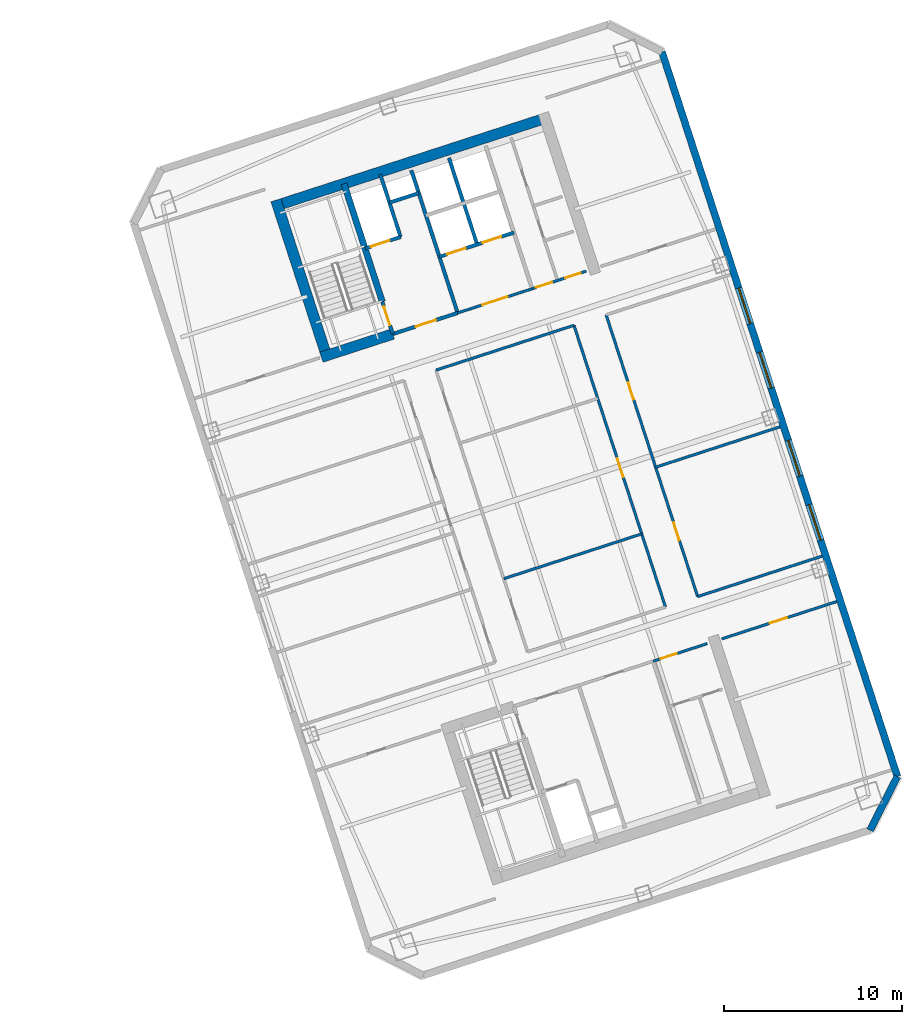
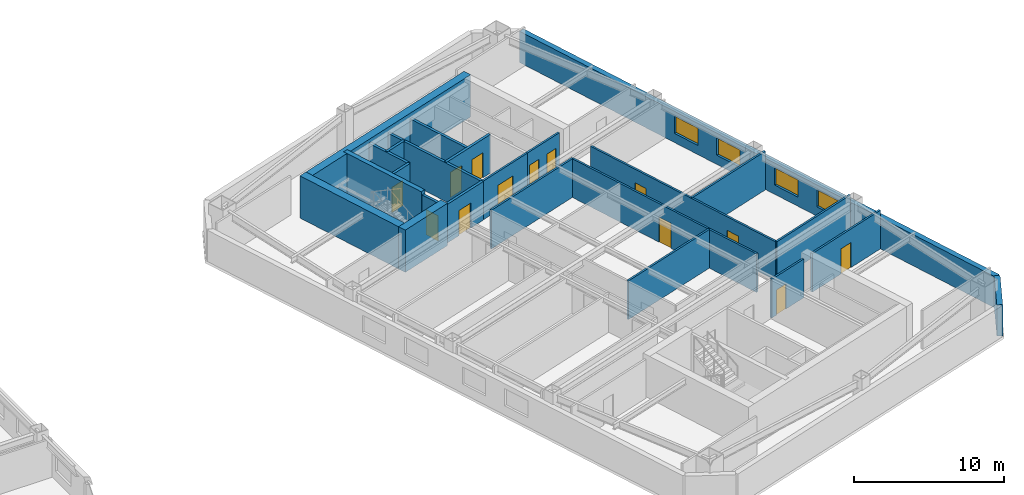
# One storey, part 9 of 13: 24 walls, 13 doors, 4 windows, 17 openings.
"""IFC4 building model written with IfcOpenShell, lengths in metres."""

import ifcopenshell
import ifcopenshell.guid

model = None  # the IFC model being written
_history = None  # IfcOwnerHistory: only IFC2X3 demands one
_inside = {}  # id of a spatial element -> (the spatial element, [elements in it])
_under = {}  # id of a project, library or spatial element -> (it, [spatial elements below it])
_declared = {}  # id of a project -> (the project, [libraries it declares])
_typed = {}  # id of a type object -> (the type object, [elements of that type])
_made_of = {}  # id of a material, layer set ... -> (it, [elements and type objects made of it])


def new_model(schema):
    """Start an empty IFC model of exactly this schema.

    Asked for "IFC4X3", IfcOpenShell would pick the latest addendum, in which some entities
    have other attributes; the version numbers below select the first issue.
    IFC2X3 requires an IfcOwnerHistory on every rooted entity: one is made here for all.
    """
    global model, _history
    if schema == "IFC4X3":
        model = ifcopenshell.file(schema_version=(4, 3, 0, 0))
    else:
        model = ifcopenshell.file(schema=schema)
    _inside.clear()
    _under.clear()
    _declared.clear()
    _typed.clear()
    _made_of.clear()
    _history = None
    if model.schema == "IFC2X3":
        org = make("IfcOrganization", Name="unknown")
        user = make(
            "IfcPersonAndOrganization",
            ThePerson=make("IfcPerson", FamilyName="unknown"),
            TheOrganization=org,
        )
        app = make(
            "IfcApplication",
            ApplicationDeveloper=org,
            Version="unknown",
            ApplicationFullName="unknown",
            ApplicationIdentifier="unknown",
        )
        _history = make(
            "IfcOwnerHistory",
            OwningUser=user,
            OwningApplication=app,
            ChangeAction="ADDED",
            CreationDate=0,
        )
    return model


def make(cls, **values):
    """One entity of the class cls with the attributes given. An attribute that is None is left unset."""
    return model.create_entity(
        cls, **{name: value for name, value in values.items() if value is not None}
    )


def rooted(cls, **values):
    """An entity with a GlobalId (a new one), such as an element, a storey or a relation."""
    return make(cls, GlobalId=ifcopenshell.guid.new(), OwnerHistory=_history, **values)


def si_unit(unit_type, name, prefix=None):
    """IfcSIUnit, for example si_unit("LENGTHUNIT", "METRE", prefix="MILLI")."""
    return make("IfcSIUnit", UnitType=unit_type, Prefix=prefix, Name=name)


def assignment(units):
    """IfcUnitAssignment: the units of a project."""
    return None if units is None else make("IfcUnitAssignment", Units=units)


def point(xyz):
    """IfcCartesianPoint."""
    return None if xyz is None else make("IfcCartesianPoint", Coordinates=xyz)


def direction(xyz):
    """IfcDirection."""
    return None if xyz is None else make("IfcDirection", DirectionRatios=xyz)


def frame(location, z_axis=None, x_axis=None):
    """IfcAxis2Placement3D, a coordinate frame: its origin and axes. An axis left out is left unset."""
    return make(
        "IfcAxis2Placement3D",
        Location=point(location),
        Axis=direction(z_axis),
        RefDirection=direction(x_axis),
    )


def frame_2d(location, x_axis=None):
    """IfcAxis2Placement2D, a coordinate frame in the plane: its origin and x axis."""
    return make(
        "IfcAxis2Placement2D", Location=point(location), RefDirection=direction(x_axis)
    )


def origin():
    """The frame at (0, 0, 0) with its axes left unset."""
    return frame((0.0, 0.0, 0.0))


def place(relative_to, where):
    """IfcLocalPlacement: puts the frame where relative to a parent placement (None: the world)."""
    return make(
        "IfcLocalPlacement", PlacementRelTo=relative_to, RelativePlacement=where
    )


def context(
    kind, dimensions, precision=None, world=None, true_north=None, identifier=None
):
    """IfcGeometricRepresentationContext, for example the 3D "Model" context."""
    return make(
        "IfcGeometricRepresentationContext",
        ContextIdentifier=identifier,
        ContextType=kind,
        CoordinateSpaceDimension=dimensions,
        Precision=precision,
        WorldCoordinateSystem=world,
        TrueNorth=true_north,
    )


def subcontext(parent, identifier, kind, view, scale=None):
    """IfcGeometricRepresentationSubContext, for example "Body" below "Model"."""
    return make(
        "IfcGeometricRepresentationSubContext",
        ContextIdentifier=identifier,
        ContextType=kind,
        ParentContext=parent,
        TargetScale=scale,
        TargetView=view,
    )


def project(units=None, contexts=None):
    """IfcProject with its units and contexts."""
    return rooted(
        "IfcProject",
        Name="project",
        RepresentationContexts=contexts,
        UnitsInContext=assignment(units),
    )


def spatial(cls, under=None, at=None, **own):
    """A site, building, storey or space (cls), placed at a placement, below another one or the project."""
    s = rooted(cls, ObjectPlacement=at, **own)
    if under is not None:
        _under.setdefault(under.id(), (under, []))[1].append(s)
    return s


def profile(cls, at=None, kind="AREA", **sizes):
    """A parametric profile (cls). Its sizes go by their IFC names, for example OverallWidth=200.0."""
    return make(cls, ProfileType=kind, Position=at, **sizes)


def rectangle(**sizes):
    """IfcRectangleProfileDef."""
    return profile("IfcRectangleProfileDef", **sizes)


def extrude(swept, where, along, depth):
    """IfcExtrudedAreaSolid: the profile swept, set in the frame where, extruded along a direction by depth."""
    return make(
        "IfcExtrudedAreaSolid",
        SweptArea=swept,
        Position=where,
        ExtrudedDirection=direction(along),
        Depth=depth,
    )


def shape(context_of_items, identifier, shape_type, items):
    """IfcShapeRepresentation: the items that make up one representation, for example the "Body"."""
    return make(
        "IfcShapeRepresentation",
        ContextOfItems=context_of_items,
        RepresentationIdentifier=identifier,
        RepresentationType=shape_type,
        Items=items,
    )


def material(Name=None, Category=None):
    """IfcMaterial."""
    return make("IfcMaterial", Name=Name, Category=Category)


def layer(
    of_material, thickness, ventilated=None, Name=None, Category=None, Priority=None
):
    """IfcMaterialLayer: one layer of a wall or slab, of a material (None: an air gap)."""
    return make(
        "IfcMaterialLayer",
        Material=of_material,
        LayerThickness=thickness,
        IsVentilated=ventilated,
        Name=Name,
        Category=Category,
        Priority=Priority,
    )


def layer_set(layers, Name=None):
    """IfcMaterialLayerSet."""
    return make("IfcMaterialLayerSet", MaterialLayers=layers, LayerSetName=Name)


def made_of(thing, what):
    """Note that an element or type object is made of a material, layer set ...; save() writes the relation."""
    if what is not None:
        _made_of.setdefault(what.id(), (what, []))[1].append(thing)
    return thing


def type_object(cls, material=None, **own):
    """A type object (cls), such as IfcWallType, which elements share."""
    return made_of(rooted(cls, **own), material)


def element(
    cls,
    number,
    at=None,
    inside=None,
    cuts=None,
    type_object=None,
    material=None,
    context=None,
    identifier="Body",
    shape_type=None,
    held_by="IfcProductDefinitionShape",
    body=None,
    shapes=None,
    **own,
):
    """One element of the class cls, such as IfcWall. Its Tag is "e" and its number.

    at: its placement. inside: the storey or other place that contains it. cuts: it is an
    opening in that element (IfcRelVoidsElement). A single representation is given by context,
    identifier, shape_type and body (its items); several are given by shapes. held_by: the class
    of the entity that holds the representations. save() writes the other relations.
    """
    e = rooted(cls, Tag="e%d" % number, ObjectPlacement=at, **own)
    if body is not None:
        shapes = [shape(context, identifier, shape_type, body)]
    if shapes is not None:
        e.Representation = make(held_by, Representations=shapes)
    if inside is not None:
        _inside.setdefault(inside.id(), (inside, []))[1].append(e)
    if cuts is not None:
        rooted(
            "IfcRelVoidsElement", RelatingBuildingElement=cuts, RelatedOpeningElement=e
        )
    if type_object is not None:
        _typed.setdefault(type_object.id(), (type_object, []))[1].append(e)
    return made_of(e, material)


def fill(opening, filler):
    """IfcRelFillsElement: the door or window that sits in an opening."""
    return rooted(
        "IfcRelFillsElement",
        RelatingOpeningElement=opening,
        RelatedBuildingElement=filler,
    )


def aggregate(whole, parts):
    """IfcRelAggregates: a whole, such as a stair, and the parts it consists of."""
    return rooted("IfcRelAggregates", RelatingObject=whole, RelatedObjects=parts)


def save(model, path):
    """Write the relations noted so far, then the file.

    IfcRelAggregates (storeys below a building ...), IfcRelContainedInSpatialStructure (elements
    in a storey), IfcRelDefinesByType, IfcRelAssociatesMaterial and IfcRelDeclares: one each for
    every whole, place, type object, material and project.
    """
    for whole, parts in _under.values():
        aggregate(whole, parts)
    for where, things in _inside.values():
        rooted(
            "IfcRelContainedInSpatialStructure",
            RelatedElements=things,
            RelatingStructure=where,
        )
    for kind, things in _typed.values():
        rooted("IfcRelDefinesByType", RelatedObjects=things, RelatingType=kind)
    for what, things in _made_of.values():
        rooted("IfcRelAssociatesMaterial", RelatedObjects=things, RelatingMaterial=what)
    for by, libraries in _declared.values():
        rooted("IfcRelDeclares", RelatingContext=by, RelatedDefinitions=libraries)
    model.write(path)


model = new_model("IFC4")

# Units and contexts
model_context = context("Model", 3, precision=1e-05, world=origin(), true_north=direction((0.0, 1.0)))
body_context = subcontext(model_context, "Body", "Model", "MODEL_VIEW")
ifc_project = project(units=[si_unit("LENGTHUNIT", "METRE"), si_unit("AREAUNIT", "SQUARE_METRE"), si_unit("VOLUMEUNIT", "CUBIC_METRE"), si_unit("PLANEANGLEUNIT", "RADIAN"), si_unit("MASSUNIT", "GRAM", prefix="KILO")], contexts=[model_context])

# Site, building, storey
site_placement = place(None, origin())
site = spatial("IfcSite", under=ifc_project, at=site_placement, CompositionType="ELEMENT")
building_placement = place(site_placement, origin())
building = spatial("IfcBuilding", under=site, at=building_placement, Name="Qiaolan Cultural Towers", CompositionType="ELEMENT")
storey_placement = place(building_placement, frame((0.0, 0.0, 180.550048828125)))
storey = spatial("IfcBuildingStorey", under=building, at=storey_placement, Name="L48", CompositionType="ELEMENT", Elevation=180.550048828125)

# Walls
ifc_material_1 = material(Name="Concrete C50", Category="concrete")
ifc_layer_1 = layer(ifc_material_1, 0.35009765625)
ifc_layer_set_1 = layer_set([ifc_layer_1], Name="Concrete C50")
wall_type_1 = type_object("IfcWallType", Name="WL-CORE-350", PredefinedType="SHEAR", material=ifc_layer_set_1)
wall_1_placement = place(storey_placement, frame((82.513671875, 45.13134765625, 0.0), z_axis=(0.0, 0.0, 1.0), x_axis=(-0.308988790936, 0.951065679686, 0.0)))
element("IfcWall", 1, at=wall_1_placement, inside=storey, type_object=wall_type_1, Name="L48 T2-CN Stair Core Dividing Web", PredefinedType="SHEAR", context=body_context, shape_type="SweptSolid", body=[
    extrude(rectangle(XDim=6.97998046875, YDim=0.35009765625, at=frame_2d((3.489990234375, 0.0))), origin(), (0.0, 0.0, 1.0), 3.449951171875),
])
ifc_material_2 = material(Name="Concrete C55", Category="concrete")
ifc_layer_2 = layer(ifc_material_2, 0.60009765625)
ifc_layer_set_2 = layer_set([ifc_layer_2], Name="Concrete C55")
wall_type_2 = type_object("IfcWallType", Name="WL-CORE-600", PredefinedType="SHEAR", material=ifc_layer_set_2)
wall_2_placement = place(storey_placement, frame((76.343505859375, 50.4658203125, 0.0), z_axis=(0.0, 0.0, 1.0), x_axis=(0.951055727519, 0.309019421968, 0.0)))
element("IfcWall", 2, at=wall_2_placement, inside=storey, type_object=wall_type_2, Name="L48 T2-CN Outer Core Shear Wall", PredefinedType="SHEAR", context=body_context, shape_type="SweptSolid", body=[
    extrude(rectangle(XDim=16.39990234375, YDim=0.60009765625, at=frame_2d((8.199951171875, 0.0))), origin(), (0.0, 0.0, 1.0), 3.449951171875),
])
wall_3_placement = place(storey_placement, frame((79.465576171875, 41.827880859375, 0.0), z_axis=(0.0, 0.0, 1.0), x_axis=(-0.309041232772, 0.951048640421, 0.0)))
element("IfcWall", 3, at=wall_3_placement, inside=storey, type_object=wall_type_2, Name="L48 T2-CN West Core Shear Wall", PredefinedType="SHEAR", context=body_context, shape_type="SweptSolid", body=[
    extrude(rectangle(XDim=9.47998046875, YDim=0.60009765625, at=frame_2d((4.739990234375, 0.0))), origin(), (0.0, 0.0, 1.0), 3.449951171875),
])
wall_4_placement = place(storey_placement, frame((79.08740234375, 42.0205078125, 0.0), z_axis=(0.0, 0.0, 1.0), x_axis=(0.951062550203, 0.3089984233, 0.0)))
element("IfcWall", 4, at=wall_4_placement, inside=storey, type_object=wall_type_2, Name="L48 T2-CN Stair Front Shear Wall", PredefinedType="SHEAR", context=body_context, shape_type="SweptSolid", body=[
    extrude(rectangle(XDim=4.219970703125, YDim=0.60009765625, at=frame_2d((2.10986328125, 0.0))), origin(), (0.0, 0.0, 1.0), 3.449951171875),
])

# Wall, openings, windows
ifc_material_3 = material(Name="Precast Concrete C50 Honed Stone Pier", Category="masonry")
ifc_layer_3 = layer(ifc_material_3, 0.39990234375)
ifc_layer_set_3 = layer_set([ifc_layer_3], Name="Precast Concrete C50 Honed Stone Pier")
wall_type_3 = type_object("IfcWallType", Name="WL-EXT-PIER-400", PredefinedType="SOLIDWALL", material=ifc_layer_set_3)
wall_5_placement = place(storey_placement, frame((98.2236328125, 59.17333984375, 0.0), z_axis=(0.0, 0.0, 1.0), x_axis=(0.309014228706, -0.951057414911, 0.0)))
wall_5 = element("IfcWall", 5, at=wall_5_placement, inside=storey, type_object=wall_type_3, Name="L48 East Tower Precast Pier Facade Wall F5", PredefinedType="SOLIDWALL", context=body_context, shape_type="SweptSolid", body=[
    extrude(rectangle(XDim=42.800048828125, YDim=0.39990234375, at=frame_2d((21.39990234375, 0.0))), origin(), (0.0, 0.0, 1.0), 2.550048828125),
])
opening_1_placement = place(wall_5_placement, frame((26.75, 0.0, 0.75)))
opening_1 = element("IfcOpeningElement", 6, at=opening_1_placement, cuts=wall_5, Name="Opening W-05", PredefinedType="OPENING", context=body_context, shape_type="SweptSolid", body=[
    extrude(rectangle(XDim=2.10009765625, YDim=1.39990234375, at=frame_2d((1.050048828125, 0.699951171875))), frame((0.0, 0.2099609375, 0.0), z_axis=(0.0, -1.0, 0.0), x_axis=(1.0, 0.0, 0.0)), (0.0, 0.0, 1.0), 0.419921875),
])
opening_2_placement = place(wall_5_placement, frame((22.949951171875, 0.0, 0.75)))
opening_2 = element("IfcOpeningElement", 7, at=opening_2_placement, cuts=wall_5, Name="Opening W-05", PredefinedType="OPENING", context=body_context, shape_type="SweptSolid", body=[
    extrude(rectangle(XDim=2.10009765625, YDim=1.39990234375, at=frame_2d((1.050048828125, 0.699951171875))), frame((0.0, 0.2099609375, 0.0), z_axis=(0.0, -1.0, 0.0), x_axis=(1.0, 0.0, 0.0)), (0.0, 0.0, 1.0), 0.419921875),
])
opening_3_placement = place(wall_5_placement, frame((17.75, 0.0, 0.75)))
opening_3 = element("IfcOpeningElement", 8, at=opening_3_placement, cuts=wall_5, Name="Opening W-05", PredefinedType="OPENING", context=body_context, shape_type="SweptSolid", body=[
    extrude(rectangle(XDim=2.10009765625, YDim=1.39990234375, at=frame_2d((1.050048828125, 0.699951171875))), frame((0.0, 0.2099609375, 0.0), z_axis=(0.0, -1.0, 0.0), x_axis=(1.0, 0.0, 0.0)), (0.0, 0.0, 1.0), 0.419921875),
])
opening_4_placement = place(wall_5_placement, frame((13.949951171875, 0.0, 0.75)))
opening_4 = element("IfcOpeningElement", 9, at=opening_4_placement, cuts=wall_5, Name="Opening W-05", PredefinedType="OPENING", context=body_context, shape_type="SweptSolid", body=[
    extrude(rectangle(XDim=2.10009765625, YDim=1.39990234375, at=frame_2d((1.050048828125, 0.699951171875))), frame((0.0, 0.2099609375, 0.0), z_axis=(0.0, -1.0, 0.0), x_axis=(1.0, 0.0, 0.0)), (0.0, 0.0, 1.0), 0.419921875),
])
ifc_material_4 = material(Name="Thermally Broken Aluminium Triple Low-E Glazing", Category="aluminium")
window_type = type_object("IfcWindowType", Name="WN-CHIC-2100", PartitioningType="SINGLE_PANEL", PredefinedType="WINDOW", material=ifc_material_4)
window_1_placement = place(opening_1_placement, origin())
window_1 = element("IfcWindow", 10, at=window_1_placement, inside=storey, type_object=window_type, Name="L48 T2 E Chicago Bay Window 1", OverallHeight=1.39990234375, OverallWidth=2.10009765625, PartitioningType="TRIPLE_PANEL_VERTICAL", PredefinedType="WINDOW", context=body_context, shape_type="SweptSolid", body=[
    extrude(rectangle(XDim=2.10009765625, YDim=1.39990234375, at=frame_2d((1.050048828125, 0.699951171875))), frame((0.0, 0.030029296875, 0.0), z_axis=(0.0, -1.0, 0.0), x_axis=(1.0, 0.0, 0.0)), (0.0, 0.0, 1.0), 0.06005859375),
])
fill(opening_1, window_1)
window_2_placement = place(opening_2_placement, origin())
window_2 = element("IfcWindow", 11, at=window_2_placement, inside=storey, type_object=window_type, Name="L48 T2 E Chicago Bay Window 2", OverallHeight=1.39990234375, OverallWidth=2.10009765625, PartitioningType="TRIPLE_PANEL_VERTICAL", PredefinedType="WINDOW", context=body_context, shape_type="SweptSolid", body=[
    extrude(rectangle(XDim=2.10009765625, YDim=1.39990234375, at=frame_2d((1.050048828125, 0.699951171875))), frame((0.0, 0.030029296875, 0.0), z_axis=(0.0, -1.0, 0.0), x_axis=(1.0, 0.0, 0.0)), (0.0, 0.0, 1.0), 0.06005859375),
])
fill(opening_2, window_2)
window_3_placement = place(opening_3_placement, origin())
window_3 = element("IfcWindow", 12, at=window_3_placement, inside=storey, type_object=window_type, Name="L48 T2 E Chicago Bay Window 3", OverallHeight=1.39990234375, OverallWidth=2.10009765625, PartitioningType="TRIPLE_PANEL_VERTICAL", PredefinedType="WINDOW", context=body_context, shape_type="SweptSolid", body=[
    extrude(rectangle(XDim=2.10009765625, YDim=1.39990234375, at=frame_2d((1.050048828125, 0.699951171875))), frame((0.0, 0.030029296875, 0.0), z_axis=(0.0, -1.0, 0.0), x_axis=(1.0, 0.0, 0.0)), (0.0, 0.0, 1.0), 0.06005859375),
])
fill(opening_3, window_3)
window_4_placement = place(opening_4_placement, origin())
window_4 = element("IfcWindow", 13, at=window_4_placement, inside=storey, type_object=window_type, Name="L48 T2 E Chicago Bay Window 4", OverallHeight=1.39990234375, OverallWidth=2.10009765625, PartitioningType="TRIPLE_PANEL_VERTICAL", PredefinedType="WINDOW", context=body_context, shape_type="SweptSolid", body=[
    extrude(rectangle(XDim=2.10009765625, YDim=1.39990234375, at=frame_2d((1.050048828125, 0.699951171875))), frame((0.0, 0.030029296875, 0.0), z_axis=(0.0, -1.0, 0.0), x_axis=(1.0, 0.0, 0.0)), (0.0, 0.0, 1.0), 0.06005859375),
])
fill(opening_4, window_4)

# Wall
wall_6_placement = place(storey_placement, frame((111.449462890625, 18.468017578125, 0.0), z_axis=(0.0, 0.0, 1.0), x_axis=(-0.454019523198, -0.890991735402, 0.0)))
element("IfcWall", 14, at=wall_6_placement, inside=storey, type_object=wall_type_3, Name="L48 East Tower Precast Pier Facade Wall F6", PredefinedType="SOLIDWALL", context=body_context, shape_type="SweptSolid", body=[
    extrude(rectangle(XDim=3.39404296875, YDim=0.39990234375, at=frame_2d((1.697021484375, 0.0))), origin(), (0.0, 0.0, 1.0), 2.550048828125),
])

# Wall, opening, door
ifc_material_5 = material(Name="Concrete C35 Fire Wall", Category="concrete")
ifc_layer_4 = layer(ifc_material_5, 0.199951171875)
ifc_layer_set_4 = layer_set([ifc_layer_4], Name="Concrete C35 Fire Wall")
wall_type_4 = type_object("IfcWallType", Name="WL-FIRE-200", PredefinedType="PARTITIONING", material=ifc_layer_set_4)
wall_7_placement = place(storey_placement, frame((83.100830078125, 43.324462890625, 0.0), z_axis=(0.0, 0.0, 1.0), x_axis=(-0.309048298632, 0.951046344356, 0.0)))
wall_7 = element("IfcWall", 15, at=wall_7_placement, inside=storey, type_object=wall_type_4, Name="L48 T2-CN Smokeproof Stair Entry Wall", PredefinedType="PARTITIONING", context=body_context, shape_type="SweptSolid", body=[
    extrude(rectangle(XDim=1.89990234375, YDim=0.199951171875, at=frame_2d((0.949951171875, 0.0))), origin(), (0.0, 0.0, 1.0), 3.155029296875),
])
opening_5_placement = place(wall_7_placement, frame((0.52001953125, 0.0, 0.0)))
opening_5 = element("IfcOpeningElement", 16, at=opening_5_placement, cuts=wall_7, Name="Opening FD-04", PredefinedType="OPENING", context=body_context, shape_type="SweptSolid", body=[
    extrude(rectangle(XDim=1.10009765625, YDim=2.050048828125, at=frame_2d((0.550048828125, 1.02490234375))), frame((0.0, 0.10986328125, 0.0), z_axis=(0.0, -1.0, 0.0), x_axis=(1.0, 0.0, 0.0)), (0.0, 0.0, 1.0), 0.219970703125),
])
ifc_material_6 = material(Name="Galvanized Steel Command Fire Door", Category="steel")
door_type_1 = type_object("IfcDoorType", Name="DR-FD90-1100", OperationType="NOTDEFINED", PredefinedType="DOOR", material=ifc_material_6)
door_1_placement = place(opening_5_placement, origin())
door_1 = element("IfcDoor", 17, at=door_1_placement, inside=storey, type_object=door_type_1, Name="L48 ST-E2 Smokeproof Stair Fire Door", OperationType="SINGLE_SWING_LEFT", OverallHeight=2.050048828125, OverallWidth=1.10009765625, PredefinedType="DOOR", context=body_context, shape_type="SweptSolid", body=[
    extrude(rectangle(XDim=1.10009765625, YDim=2.050048828125, at=frame_2d((0.550048828125, 1.02490234375))), frame((0.0, 0.02490234375, 0.0), z_axis=(0.0, -1.0, 0.0), x_axis=(1.0, 0.0, 0.0)), (0.0, 0.0, 1.0), 0.050048828125),
])
fill(opening_5, door_1)

# Wall
wall_8_placement = place(storey_placement, frame((86.743408203125, 44.508056640625, 0.0), z_axis=(0.0, 0.0, 1.0), x_axis=(-0.309016001439, 0.951056838919, 0.0)))
element("IfcWall", 18, at=wall_8_placement, inside=storey, type_object=wall_type_4, Name="L48 T2-CN Firefighting Zone Wall", PredefinedType="PARTITIONING", context=body_context, shape_type="SweptSolid", body=[
    extrude(rectangle(XDim=8.429931640625, YDim=0.199951171875, at=frame_2d((4.21484375, 0.0))), origin(), (0.0, 0.0, 1.0), 3.155029296875),
])

# Wall, opening, door
wall_9_placement = place(storey_placement, frame((83.100830078125, 43.324462890625, 0.0), z_axis=(0.0, 0.0, 1.0), x_axis=(0.951052804469, 0.309028417967, 0.0)))
wall_9 = element("IfcWall", 19, at=wall_9_placement, inside=storey, type_object=wall_type_4, Name="L48 T2-CN Firefighting Lobby Front Wall", PredefinedType="PARTITIONING", context=body_context, shape_type="SweptSolid", body=[
    extrude(rectangle(XDim=3.830078125, YDim=0.199951171875, at=frame_2d((1.9150390625, 0.0))), origin(), (0.0, 0.0, 1.0), 3.155029296875),
])
opening_6_placement = place(wall_9_placement, frame((1.35009765625, 0.0, 0.0)))
opening_6 = element("IfcOpeningElement", 20, at=opening_6_placement, cuts=wall_9, Name="Opening FD-03", PredefinedType="OPENING", context=body_context, shape_type="SweptSolid", body=[
    extrude(rectangle(XDim=1.199951171875, YDim=2.050048828125, at=frame_2d((0.60009765625, 1.02490234375))), frame((0.0, 0.10986328125, 0.0), z_axis=(0.0, -1.0, 0.0), x_axis=(1.0, 0.0, 0.0)), (0.0, 0.0, 1.0), 0.219970703125),
])
ifc_material_7 = material(Name="Galvanized Steel Smokeproof Lobby Fire Door", Category="steel")
door_type_2 = type_object("IfcDoorType", Name="DR-FD90-1200", OperationType="NOTDEFINED", PredefinedType="DOOR", material=ifc_material_7)
door_2_placement = place(opening_6_placement, origin())
door_2 = element("IfcDoor", 21, at=door_2_placement, inside=storey, type_object=door_type_2, Name="L48 FFL-E2 Firefighting Lobby Fire Door", OperationType="SINGLE_SWING_LEFT", OverallHeight=2.050048828125, OverallWidth=1.199951171875, PredefinedType="DOOR", context=body_context, shape_type="SweptSolid", body=[
    extrude(rectangle(XDim=1.199951171875, YDim=2.050048828125, at=frame_2d((0.60009765625, 1.02490234375))), frame((0.0, 0.02490234375, 0.0), z_axis=(0.0, -1.0, 0.0), x_axis=(1.0, 0.0, 0.0)), (0.0, 0.0, 1.0), 0.050048828125),
])
fill(opening_6, door_2)

wall_10_placement = place(storey_placement, frame((81.540283203125, 48.127197265625, 0.0), z_axis=(0.0, 0.0, 1.0), x_axis=(0.951062257173, 0.308999325213, 0.0)))
wall_10 = element("IfcWall", 22, at=wall_10_placement, inside=storey, type_object=wall_type_4, Name="L48 T2-CN Firefighting Shaft Front Wall", PredefinedType="PARTITIONING", context=body_context, shape_type="SweptSolid", body=[
    extrude(rectangle(XDim=2.10009765625, YDim=0.199951171875, at=frame_2d((1.050048828125, 0.0))), origin(), (0.0, 0.0, 1.0), 3.155029296875),
])
opening_7_placement = place(wall_10_placement, frame((0.35009765625, 0.0, 0.0)))
opening_7 = element("IfcOpeningElement", 23, at=opening_7_placement, cuts=wall_10, Name="Opening LD-01", PredefinedType="OPENING", context=body_context, shape_type="SweptSolid", body=[
    extrude(rectangle(XDim=1.10009765625, YDim=2.050048828125, at=frame_2d((0.550048828125, 1.02490234375))), frame((0.0, 0.10986328125, 0.0), z_axis=(0.0, -1.0, 0.0), x_axis=(1.0, 0.0, 0.0)), (0.0, 0.0, 1.0), 0.219970703125),
])
ifc_material_8 = material(Name="Brushed Stainless Steel S30408 Centre-Parting Lift Landing Door", Category="steel")
door_type_3 = type_object("IfcDoorType", Name="DR-LIFT-1100", OperationType="NOTDEFINED", PredefinedType="DOOR", material=ifc_material_8)
door_3_placement = place(opening_7_placement, origin())
door_3 = element("IfcDoor", 24, at=door_3_placement, inside=storey, type_object=door_type_3, Name="L48 FFL-E2 Firefighting Lift Landing Door", OperationType="DOUBLE_DOOR_SLIDING", OverallHeight=2.050048828125, OverallWidth=1.10009765625, PredefinedType="DOOR", context=body_context, shape_type="SweptSolid", body=[
    extrude(rectangle(XDim=1.10009765625, YDim=2.050048828125, at=frame_2d((0.550048828125, 1.02490234375))), frame((0.0, 0.02490234375, 0.0), z_axis=(0.0, -1.0, 0.0), x_axis=(1.0, 0.0, 0.0)), (0.0, 0.0, 1.0), 0.050048828125),
])
fill(opening_7, door_3)

# Walls
wall_11_placement = place(storey_placement, frame((83.53759765625, 48.776123046875, 0.0), z_axis=(0.0, 0.0, 1.0), x_axis=(-0.3089935693, 0.951064127245, 0.0)))
element("IfcWall", 25, at=wall_11_placement, inside=storey, type_object=wall_type_4, Name="L48 T2-CN Firefighting Hoistway East Wall", PredefinedType="PARTITIONING", context=body_context, shape_type="SweptSolid", body=[
    extrude(rectangle(XDim=3.7001953125, YDim=0.199951171875, at=frame_2d((1.85009765625, 0.0))), origin(), (0.0, 0.0, 1.0), 3.155029296875),
])
wall_12_placement = place(storey_placement, frame((82.910400390625, 50.706787109375, 0.0), z_axis=(0.0, 0.0, 1.0), x_axis=(0.951041328149, 0.309063734775, 0.0)))
element("IfcWall", 26, at=wall_12_placement, inside=storey, type_object=wall_type_4, Name="L48 T2-CN Pressurization Shaft Front Wall", PredefinedType="PARTITIONING", context=body_context, shape_type="SweptSolid", body=[
    extrude(rectangle(XDim=1.72998046875, YDim=0.199951171875, at=frame_2d((0.864990234375, 0.0))), origin(), (0.0, 0.0, 1.0), 3.155029296875),
])

# Wall, openings, doors
wall_13_placement = place(storey_placement, frame((85.717529296875, 47.66552734375, 0.0), z_axis=(0.0, 0.0, 1.0), x_axis=(0.951058531764, 0.30901079133, 0.0)))
wall_13 = element("IfcWall", 27, at=wall_13_placement, inside=storey, type_object=wall_type_4, Name="L48 T2-CN Passenger Lift Shaft Front Wall", PredefinedType="PARTITIONING", context=body_context, shape_type="SweptSolid", body=[
    extrude(rectangle(XDim=4.39990234375, YDim=0.199951171875, at=frame_2d((2.199951171875, 0.0))), origin(), (0.0, 0.0, 1.0), 3.155029296875),
])
opening_8_placement = place(wall_13_placement, frame((0.449951171875, 0.0, 0.0)))
opening_8 = element("IfcOpeningElement", 28, at=opening_8_placement, cuts=wall_13, Name="Opening LD-01", PredefinedType="OPENING", context=body_context, shape_type="SweptSolid", body=[
    extrude(rectangle(XDim=1.10009765625, YDim=2.050048828125, at=frame_2d((0.550048828125, 1.02490234375))), frame((0.0, 0.10986328125, 0.0), z_axis=(0.0, -1.0, 0.0), x_axis=(1.0, 0.0, 0.0)), (0.0, 0.0, 1.0), 0.219970703125),
])
opening_9_placement = place(wall_13_placement, frame((2.550048828125, 0.0, 0.0)))
opening_9 = element("IfcOpeningElement", 29, at=opening_9_placement, cuts=wall_13, Name="Opening LD-01", PredefinedType="OPENING", context=body_context, shape_type="SweptSolid", body=[
    extrude(rectangle(XDim=1.10009765625, YDim=2.050048828125, at=frame_2d((0.550048828125, 1.02490234375))), frame((0.0, 0.10986328125, 0.0), z_axis=(0.0, -1.0, 0.0), x_axis=(1.0, 0.0, 0.0)), (0.0, 0.0, 1.0), 0.219970703125),
])
door_4_placement = place(opening_8_placement, origin())
door_4 = element("IfcDoor", 30, at=door_4_placement, inside=storey, type_object=door_type_3, Name="L48 Passenger Lift 1 Landing Door", OperationType="DOUBLE_DOOR_SLIDING", OverallHeight=2.050048828125, OverallWidth=1.10009765625, PredefinedType="DOOR", context=body_context, shape_type="SweptSolid", body=[
    extrude(rectangle(XDim=1.10009765625, YDim=2.050048828125, at=frame_2d((0.550048828125, 1.02490234375))), frame((0.0, 0.02490234375, 0.0), z_axis=(0.0, -1.0, 0.0), x_axis=(1.0, 0.0, 0.0)), (0.0, 0.0, 1.0), 0.050048828125),
])
fill(opening_8, door_4)
door_5_placement = place(opening_9_placement, origin())
door_5 = element("IfcDoor", 31, at=door_5_placement, inside=storey, type_object=door_type_3, Name="L48 Passenger Lift 2 Landing Door", OperationType="DOUBLE_DOOR_SLIDING", OverallHeight=2.050048828125, OverallWidth=1.10009765625, PredefinedType="DOOR", context=body_context, shape_type="SweptSolid", body=[
    extrude(rectangle(XDim=1.10009765625, YDim=2.050048828125, at=frame_2d((0.550048828125, 1.02490234375))), frame((0.0, 0.02490234375, 0.0), z_axis=(0.0, -1.0, 0.0), x_axis=(1.0, 0.0, 0.0)), (0.0, 0.0, 1.0), 0.050048828125),
])
fill(opening_9, door_5)

# Wall
wall_14_placement = place(storey_placement, frame((87.83837890625, 48.3544921875, 0.0), z_axis=(0.0, 0.0, 1.0), x_axis=(-0.3090093719, 0.951058992953, 0.0)))
element("IfcWall", 32, at=wall_14_placement, inside=storey, type_object=wall_type_4, Name="L48 T2-CN Lift Shaft Divider Wall", PredefinedType="PARTITIONING", context=body_context, shape_type="SweptSolid", body=[
    extrude(rectangle(XDim=5.110107421875, YDim=0.199951171875, at=frame_2d((2.55517578125, 0.0))), origin(), (0.0, 0.0, 1.0), 3.155029296875),
])

# Wall, opening, door
ifc_material_9 = material(Name="Autoclaved Aerated Concrete Block B06", Category="concrete")
ifc_layer_5 = layer(ifc_material_9, 0.14990234375)
ifc_layer_set_5 = layer_set([ifc_layer_5], Name="Autoclaved Aerated Concrete Block B06")
wall_type_5 = type_object("IfcWallType", Name="WL-PART-150", PredefinedType="PARTITIONING", material=ifc_layer_set_5)
wall_15_placement = place(storey_placement, frame((97.7265625, 24.9443359375, 0.0), z_axis=(0.0, 0.0, 1.0), x_axis=(0.951036872128, 0.309077446369, 0.0)))
wall_15 = element("IfcWall", 33, at=wall_15_placement, inside=storey, type_object=wall_type_5, Name="L48 T2-CS Sanitary Core Front Wall", PredefinedType="PARTITIONING", context=body_context, shape_type="SweptSolid", body=[
    extrude(rectangle(XDim=3.199951171875, YDim=0.14990234375, at=frame_2d((1.60009765625, 0.0))), origin(), (0.0, 0.0, 1.0), 3.155029296875),
])
opening_10_placement = place(wall_15_placement, frame((0.449951171875, 0.0, 0.0)))
opening_10 = element("IfcOpeningElement", 34, at=opening_10_placement, cuts=wall_15, Name="Opening ID-05", PredefinedType="OPENING", context=body_context, shape_type="SweptSolid", body=[
    extrude(rectangle(XDim=0.949951171875, YDim=2.050048828125, at=frame_2d((0.47509765625, 1.02490234375))), frame((0.0, 0.0849609375, 0.0), z_axis=(0.0, -1.0, 0.0), x_axis=(1.0, 0.0, 0.0)), (0.0, 0.0, 1.0), 0.169921875),
])
ifc_material_10 = material(Name="Fire-Rated Laminate Accessible Core Door", Category="timber")
door_type_4 = type_object("IfcDoorType", Name="DR-INT-950", OperationType="NOTDEFINED", PredefinedType="DOOR", material=ifc_material_10)
door_6_placement = place(opening_10_placement, origin())
door_6 = element("IfcDoor", 35, at=door_6_placement, inside=storey, type_object=door_type_4, Name="L48 Sanitary Vestibule Door", OperationType="SINGLE_SWING_LEFT", OverallHeight=2.050048828125, OverallWidth=0.949951171875, PredefinedType="DOOR", context=body_context, shape_type="SweptSolid", body=[
    extrude(rectangle(XDim=0.949951171875, YDim=2.050048828125, at=frame_2d((0.47509765625, 1.02490234375))), frame((0.0, 0.02490234375, 0.0), z_axis=(0.0, -1.0, 0.0), x_axis=(1.0, 0.0, 0.0)), (0.0, 0.0, 1.0), 0.050048828125),
])
fill(opening_10, door_6)

wall_16_placement = place(storey_placement, frame((86.743408203125, 44.508056640625, 0.0), z_axis=(0.0, 0.0, 1.0), x_axis=(0.951063829732, 0.308994485023, 0.0)))
wall_16 = element("IfcWall", 36, at=wall_16_placement, inside=storey, type_object=wall_type_5, Name="L48 T2-CN Passenger Lift Lobby Front Wall", PredefinedType="PARTITIONING", context=body_context, shape_type="SweptSolid", body=[
    extrude(rectangle(XDim=4.400146484375, YDim=0.14990234375, at=frame_2d((2.2001953125, 0.0))), origin(), (0.0, 0.0, 1.0), 3.155029296875),
])
opening_11_placement = place(wall_16_placement, frame((1.449951171875, 0.0, 0.0)))
opening_11 = element("IfcOpeningElement", 37, at=opening_11_placement, cuts=wall_16, Name="Opening FD-05", PredefinedType="OPENING", context=body_context, shape_type="SweptSolid", body=[
    extrude(rectangle(XDim=1.5, YDim=2.050048828125, at=frame_2d((0.75, 1.02490234375))), frame((0.0, 0.0849609375, 0.0), z_axis=(0.0, -1.0, 0.0), x_axis=(1.0, 0.0, 0.0)), (0.0, 0.0, 1.0), 0.169921875),
])
ifc_material_11 = material(Name="Painted Steel Lift Lobby Fire Door", Category="steel")
door_type_5 = type_object("IfcDoorType", Name="DR-FD60-1500", OperationType="NOTDEFINED", PredefinedType="DOOR", material=ifc_material_11)
door_7_placement = place(opening_11_placement, origin())
door_7 = element("IfcDoor", 38, at=door_7_placement, inside=storey, type_object=door_type_5, Name="L48 Passenger Lift Lobby Entrance", OperationType="SINGLE_SWING_LEFT", OverallHeight=2.050048828125, OverallWidth=1.5, PredefinedType="DOOR", context=body_context, shape_type="SweptSolid", body=[
    extrude(rectangle(XDim=1.5, YDim=2.050048828125, at=frame_2d((0.75, 1.02490234375))), frame((0.0, 0.02490234375, 0.0), z_axis=(0.0, -1.0, 0.0), x_axis=(1.0, 0.0, 0.0)), (0.0, 0.0, 1.0), 0.050048828125),
])
fill(opening_11, door_7)

# Wall, openings, doors
wall_17_placement = place(storey_placement, frame((90.92822265625, 45.86767578125, 0.0), z_axis=(0.0, 0.0, 1.0), x_axis=(0.951059297078, 0.309008435874, 0.0)))
wall_17 = element("IfcWall", 39, at=wall_17_placement, inside=storey, type_object=wall_type_5, Name="L48 T2-CN Sanitary Core Front Wall", PredefinedType="PARTITIONING", context=body_context, shape_type="SweptSolid", body=[
    extrude(rectangle(XDim=3.19970703125, YDim=0.14990234375, at=frame_2d((1.599853515625, 0.0))), origin(), (0.0, 0.0, 1.0), 3.155029296875),
])
opening_12_placement = place(wall_17_placement, frame((0.219970703125, 0.0, 0.0)))
opening_12 = element("IfcOpeningElement", 40, at=opening_12_placement, cuts=wall_17, Name="Opening ID-05", PredefinedType="OPENING", context=body_context, shape_type="SweptSolid", body=[
    extrude(rectangle(XDim=0.949951171875, YDim=2.050048828125, at=frame_2d((0.47509765625, 1.02490234375))), frame((0.0, 0.0849609375, 0.0), z_axis=(0.0, -1.0, 0.0), x_axis=(1.0, 0.0, 0.0)), (0.0, 0.0, 1.0), 0.169921875),
])
opening_13_placement = place(wall_17_placement, frame((1.949951171875, 0.0, 0.0)))
opening_13 = element("IfcOpeningElement", 41, at=opening_13_placement, cuts=wall_17, Name="Opening ID-06", PredefinedType="OPENING", context=body_context, shape_type="SweptSolid", body=[
    extrude(rectangle(XDim=0.89990234375, YDim=2.050048828125, at=frame_2d((0.449951171875, 1.02490234375))), frame((0.0, 0.0849609375, 0.0), z_axis=(0.0, -1.0, 0.0), x_axis=(1.0, 0.0, 0.0)), (0.0, 0.0, 1.0), 0.169921875),
])
ifc_material_12 = material(Name="Fire-Rated Laminate Core Service Door", Category="timber")
door_type_6 = type_object("IfcDoorType", Name="DR-INT-900", OperationType="NOTDEFINED", PredefinedType="DOOR", material=ifc_material_12)
door_8_placement = place(opening_13_placement, origin())
door_8 = element("IfcDoor", 42, at=door_8_placement, inside=storey, type_object=door_type_6, Name="L48 Core Tea Pantry Door", OperationType="SINGLE_SWING_RIGHT", OverallHeight=2.050048828125, OverallWidth=0.89990234375, PredefinedType="DOOR", context=body_context, shape_type="SweptSolid", body=[
    extrude(rectangle(XDim=0.89990234375, YDim=2.050048828125, at=frame_2d((0.449951171875, 1.02490234375))), frame((0.0, 0.02490234375, 0.0), z_axis=(0.0, -1.0, 0.0), x_axis=(1.0, 0.0, 0.0)), (0.0, 0.0, 1.0), 0.050048828125),
])
fill(opening_13, door_8)
door_9_placement = place(opening_12_placement, origin())
door_9 = element("IfcDoor", 43, at=door_9_placement, inside=storey, type_object=door_type_4, Name="L48 Sanitary Passage Door", OperationType="SINGLE_SWING_LEFT", OverallHeight=2.050048828125, OverallWidth=0.949951171875, PredefinedType="DOOR", context=body_context, shape_type="SweptSolid", body=[
    extrude(rectangle(XDim=0.949951171875, YDim=2.050048828125, at=frame_2d((0.47509765625, 1.02490234375))), frame((0.0, 0.02490234375, 0.0), z_axis=(0.0, -1.0, 0.0), x_axis=(1.0, 0.0, 0.0)), (0.0, 0.0, 1.0), 0.050048828125),
])
fill(opening_12, door_9)

# Wall, opening, door
wall_18_placement = place(storey_placement, frame((101.578369140625, 26.196044921875, 0.0), z_axis=(0.0, 0.0, 1.0), x_axis=(0.951064934653, 0.308991084134, 0.0)))
wall_18 = element("IfcWall", 44, at=wall_18_placement, inside=storey, type_object=wall_type_5, Name="L48 T2 Flank Front FLK-SE", PredefinedType="PARTITIONING", context=body_context, shape_type="SweptSolid", body=[
    extrude(rectangle(XDim=6.7998046875, YDim=0.14990234375, at=frame_2d((3.39990234375, 0.0))), origin(), (0.0, 0.0, 1.0), 3.155029296875),
])
opening_14_placement = place(wall_18_placement, frame((2.85595703125, 0.0, 0.0)))
opening_14 = element("IfcOpeningElement", 45, at=opening_14_placement, cuts=wall_18, Name="Opening ID-04", PredefinedType="OPENING", context=body_context, shape_type="SweptSolid", body=[
    extrude(rectangle(XDim=1.0, YDim=2.050048828125, at=frame_2d((0.5, 1.02490234375))), frame((0.0, 0.0849609375, 0.0), z_axis=(0.0, -1.0, 0.0), x_axis=(1.0, 0.0, 0.0)), (0.0, 0.0, 1.0), 0.169921875),
])
ifc_material_13 = material(Name="Oak Veneer Acoustic Office Door", Category="timber")
door_type_7 = type_object("IfcDoorType", Name="DR-INT-1000", OperationType="NOTDEFINED", PredefinedType="DOOR", material=ifc_material_13)
door_10_placement = place(opening_14_placement, origin())
door_10 = element("IfcDoor", 46, at=door_10_placement, inside=storey, type_object=door_type_7, Name="L48 T2 Corner Studio Door", OperationType="SINGLE_SWING_LEFT", OverallHeight=2.050048828125, OverallWidth=1.0, PredefinedType="DOOR", context=body_context, shape_type="SweptSolid", body=[
    extrude(rectangle(XDim=1.0, YDim=2.050048828125, at=frame_2d((0.5, 1.02490234375))), frame((0.0, 0.02490234375, 0.0), z_axis=(0.0, -1.0, 0.0), x_axis=(1.0, 0.0, 0.0)), (0.0, 0.0, 1.0), 0.050048828125),
])
fill(opening_14, door_10)

# Walls
wall_19_placement = place(storey_placement, frame((100.22705078125, 28.57470703125, 0.0), z_axis=(0.0, 0.0, 1.0), x_axis=(0.95104773735, 0.309044011885, 0.0)))
element("IfcWall", 47, at=wall_19_placement, inside=storey, type_object=wall_type_5, Name="L48 T2 Interior Wall", PredefinedType="PARTITIONING", context=body_context, shape_type="SweptSolid", body=[
    extrude(rectangle(XDim=7.35009765625, YDim=0.14990234375, at=frame_2d((3.675048828125, 0.0))), origin(), (0.0, 0.0, 1.0), 3.155029296875),
])
wall_20_placement = place(storey_placement, frame((85.52685546875, 41.294677734375, 0.0), z_axis=(0.0, 0.0, 1.0), x_axis=(0.951055419664, 0.309020369437, 0.0)))
element("IfcWall", 48, at=wall_20_placement, inside=storey, type_object=wall_type_5, Name="L48 T2 Interior Wall", PredefinedType="PARTITIONING", context=body_context, shape_type="SweptSolid", body=[
    extrude(rectangle(XDim=8.150146484375, YDim=0.14990234375, at=frame_2d((4.0751953125, 0.0))), origin(), (0.0, 0.0, 1.0), 3.155029296875),
])

# Wall, opening, door
wall_21_placement = place(storey_placement, frame((98.419921875, 27.987548828125, 0.0), z_axis=(0.0, 0.0, 1.0), x_axis=(-0.309004459387, 0.951060589068, 0.0)))
wall_21 = element("IfcWall", 49, at=wall_21_placement, inside=storey, type_object=wall_type_5, Name="L48 T2 Interior Wall", PredefinedType="PARTITIONING", context=body_context, shape_type="SweptSolid", body=[
    extrude(rectangle(XDim=16.64013671875, YDim=0.14990234375, at=frame_2d((8.320068359375, 0.0))), origin(), (0.0, 0.0, 1.0), 3.155029296875),
])
opening_15_placement = place(wall_21_placement, frame((7.679931640625, 0.0, 0.0)))
opening_15 = element("IfcOpeningElement", 50, at=opening_15_placement, cuts=wall_21, Name="Opening ID-03", PredefinedType="OPENING", context=body_context, shape_type="SweptSolid", body=[
    extrude(rectangle(XDim=1.10009765625, YDim=2.050048828125, at=frame_2d((0.550048828125, 1.02490234375))), frame((0.0, 0.0849609375, 0.0), z_axis=(0.0, -1.0, 0.0), x_axis=(1.0, 0.0, 0.0)), (0.0, 0.0, 1.0), 0.169921875),
])
ifc_material_14 = material(Name="Oak Veneer Solid-Core Boardroom Door", Category="timber")
door_type_8 = type_object("IfcDoorType", Name="DR-INT-1100", OperationType="NOTDEFINED", PredefinedType="DOOR", material=ifc_material_14)
door_11_placement = place(opening_15_placement, origin())
door_11 = element("IfcDoor", 51, at=door_11_placement, inside=storey, type_object=door_type_8, Name="L48 T2 Central Study Salon Door", OperationType="SINGLE_SWING_LEFT", OverallHeight=2.050048828125, OverallWidth=1.10009765625, PredefinedType="DOOR", context=body_context, shape_type="SweptSolid", body=[
    extrude(rectangle(XDim=1.10009765625, YDim=2.050048828125, at=frame_2d((0.550048828125, 1.02490234375))), frame((0.0, 0.02490234375, 0.0), z_axis=(0.0, -1.0, 0.0), x_axis=(1.0, 0.0, 0.0)), (0.0, 0.0, 1.0), 0.050048828125),
])
fill(opening_15, door_11)

# Wall, openings, doors
wall_22_placement = place(storey_placement, frame((100.22705078125, 28.57470703125, 0.0), z_axis=(0.0, 0.0, 1.0), x_axis=(-0.30901773025, 0.951056277195, 0.0)))
wall_22 = element("IfcWall", 52, at=wall_22_placement, inside=storey, type_object=wall_type_5, Name="L48 T2 Interior Wall", PredefinedType="PARTITIONING", context=body_context, shape_type="SweptSolid", body=[
    extrude(rectangle(XDim=16.64013671875, YDim=0.14990234375, at=frame_2d((8.320068359375, 0.0))), origin(), (0.0, 0.0, 1.0), 3.155029296875),
])
opening_16_placement = place(wall_22_placement, frame((3.320068359375, 0.0, 0.0)))
opening_16 = element("IfcOpeningElement", 53, at=opening_16_placement, cuts=wall_22, Name="Opening ID-07", PredefinedType="OPENING", context=body_context, shape_type="SweptSolid", body=[
    extrude(rectangle(XDim=1.050048828125, YDim=2.050048828125, at=frame_2d((0.52490234375, 1.02490234375))), frame((0.0, 0.0849609375, 0.0), z_axis=(0.0, -1.0, 0.0), x_axis=(1.0, 0.0, 0.0)), (0.0, 0.0, 1.0), 0.169921875),
])
opening_17_placement = place(wall_22_placement, frame((11.639892578125, 0.0, 0.0)))
opening_17 = element("IfcOpeningElement", 54, at=opening_17_placement, cuts=wall_22, Name="Opening ID-04", PredefinedType="OPENING", context=body_context, shape_type="SweptSolid", body=[
    extrude(rectangle(XDim=1.0, YDim=2.050048828125, at=frame_2d((0.5, 1.02490234375))), frame((0.0, 0.0849609375, 0.0), z_axis=(0.0, -1.0, 0.0), x_axis=(1.0, 0.0, 0.0)), (0.0, 0.0, 1.0), 0.169921875),
])
door_12_placement = place(opening_17_placement, origin())
door_12 = element("IfcDoor", 55, at=door_12_placement, inside=storey, type_object=door_type_7, Name="L48 T2 Media Studio Office Door", OperationType="SINGLE_SWING_LEFT", OverallHeight=2.050048828125, OverallWidth=1.0, PredefinedType="DOOR", context=body_context, shape_type="SweptSolid", body=[
    extrude(rectangle(XDim=1.0, YDim=2.050048828125, at=frame_2d((0.5, 1.02490234375))), frame((0.0, 0.02490234375, 0.0), z_axis=(0.0, -1.0, 0.0), x_axis=(1.0, 0.0, 0.0)), (0.0, 0.0, 1.0), 0.050048828125),
])
fill(opening_17, door_12)
ifc_material_15 = material(Name="Oak Veneer Consultation Door", Category="timber")
door_type_9 = type_object("IfcDoorType", Name="DR-INT-1050", OperationType="NOTDEFINED", PredefinedType="DOOR", material=ifc_material_15)
door_13_placement = place(opening_16_placement, origin())
door_13 = element("IfcDoor", 56, at=door_13_placement, inside=storey, type_object=door_type_9, Name="L48 T2 Wellness & Rest Room Door", OperationType="SINGLE_SWING_RIGHT", OverallHeight=2.050048828125, OverallWidth=1.050048828125, PredefinedType="DOOR", context=body_context, shape_type="SweptSolid", body=[
    extrude(rectangle(XDim=1.050048828125, YDim=2.050048828125, at=frame_2d((0.52490234375, 1.02490234375))), frame((0.0, 0.02490234375, 0.0), z_axis=(0.0, -1.0, 0.0), x_axis=(1.0, 0.0, 0.0)), (0.0, 0.0, 1.0), 0.050048828125),
])
fill(opening_16, door_13)

# Walls
wall_23_placement = place(storey_placement, frame((89.333984375, 29.57763671875, 0.0), z_axis=(0.0, 0.0, 1.0), x_axis=(0.951052558989, 0.309029173445, 0.0)))
element("IfcWall", 57, at=wall_23_placement, inside=storey, type_object=wall_type_5, Name="L48 T2 Interior Wall", PredefinedType="PARTITIONING", context=body_context, shape_type="SweptSolid", body=[
    extrude(rectangle(XDim=8.14990234375, YDim=0.14990234375, at=frame_2d((4.074951171875, 0.0))), origin(), (0.0, 0.0, 1.0), 3.155029296875),
])
wall_24_placement = place(storey_placement, frame((97.8662109375, 35.8408203125, 0.0), z_axis=(0.0, 0.0, 1.0), x_axis=(0.95105749975, 0.309013967595, 0.0)))
element("IfcWall", 58, at=wall_24_placement, inside=storey, type_object=wall_type_5, Name="L48 T2 Interior Wall", PredefinedType="PARTITIONING", context=body_context, shape_type="SweptSolid", body=[
    extrude(rectangle(XDim=7.349853515625, YDim=0.14990234375, at=frame_2d((3.6748046875, 0.0))), origin(), (0.0, 0.0, 1.0), 3.155029296875),
])

save(model, "model.ifc")
